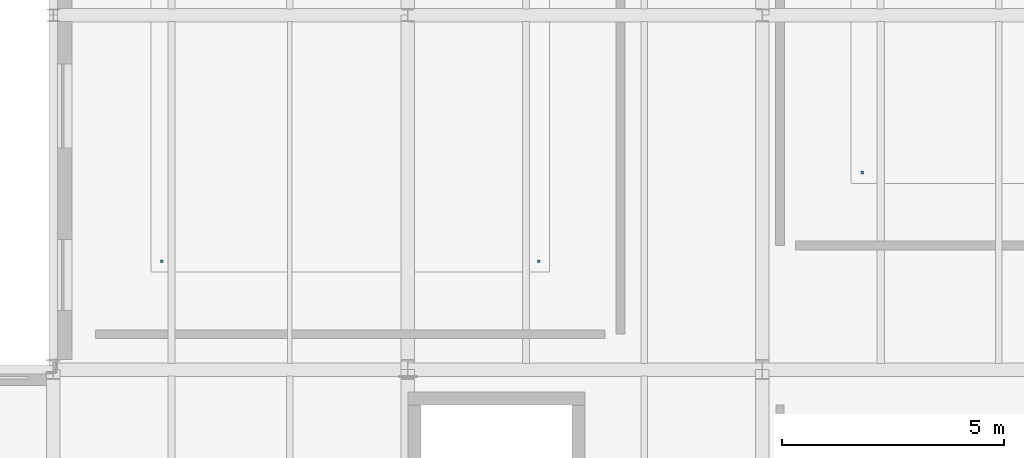
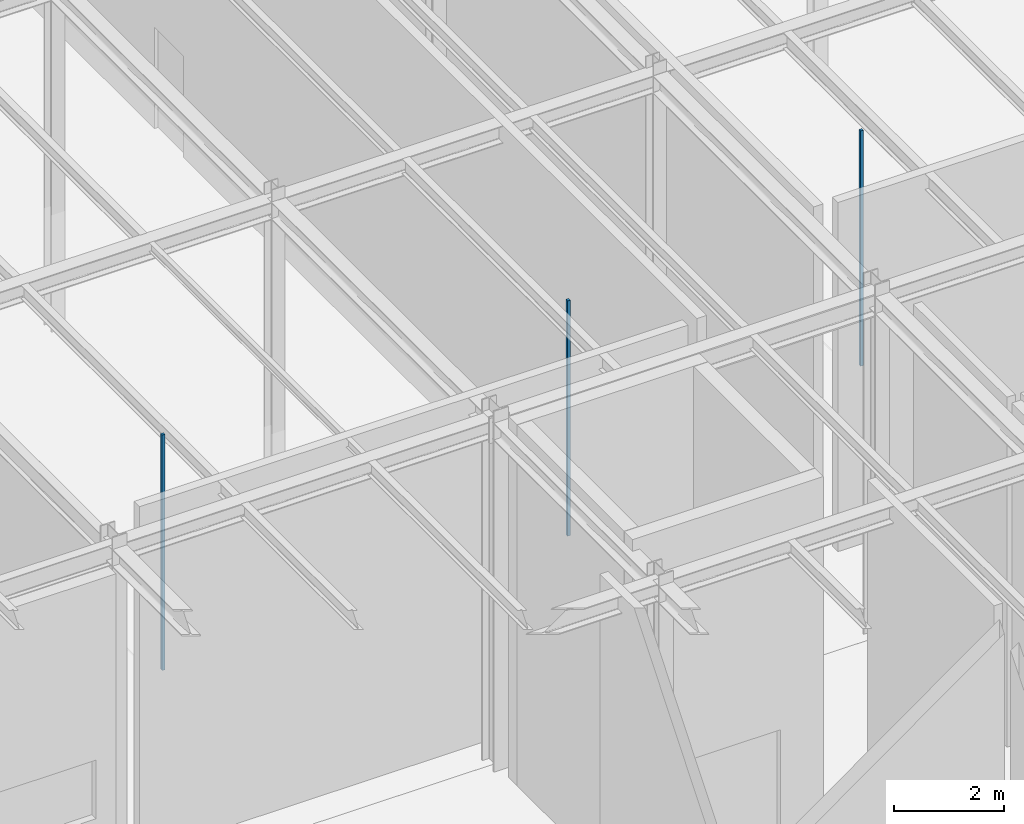
# One storey, part 113 of 138: 3 discrete accessories.
"""IFC4 building model written with IfcOpenShell, lengths in metres."""

from ifc_helpers import new_model, si_unit, direction, frame, origin, origin_2d, place, context, subcontext, project, spatial, rectangle, extrude, material, type_object, element, save


model = new_model("IFC4")

# Units and contexts
model_context = context("Model", 3, precision=1e-05, world=origin(), true_north=direction((0.0, 1.0)))
body_context = subcontext(model_context, "Body", "Model", "MODEL_VIEW")
ifc_project = project(units=[si_unit("LENGTHUNIT", "METRE"), si_unit("AREAUNIT", "SQUARE_METRE"), si_unit("VOLUMEUNIT", "CUBIC_METRE"), si_unit("PLANEANGLEUNIT", "RADIAN"), si_unit("MASSUNIT", "GRAM", prefix="KILO")], contexts=[model_context])

# Site, building, storey
site_placement = place(None, origin())
site = spatial("IfcSite", under=ifc_project, at=site_placement, CompositionType="ELEMENT")
building_placement = place(site_placement, origin())
building = spatial("IfcBuilding", under=site, at=building_placement, Name="Sundkrona Museum", CompositionType="ELEMENT")
storey_placement = place(building_placement, frame((0.0, 0.0, 9.60009765625)))
storey = spatial("IfcBuildingStorey", under=building, at=storey_placement, Name="L02", CompositionType="ELEMENT", Elevation=9.60009765625)

# Discrete accessories
ifc_material = material(Name="Stainless Steel EN 1.4404 Cleat", Category="steel")
discrete_accessory_type = type_object("IfcDiscreteAccessoryType", Name="BRK-FIN-01", PredefinedType="BRACKET", material=ifc_material)
for number, where, z_axis, x_axis, name in (
    (1, (154.25, 50.449951171875, 2.5498046875), (0.0, 0.0, 1.0), (1.0, 0.0, 0.0), "L02 Painting Restoration Studio Ceiling Hanger 1"),
    (2, (138.449951171875, 48.449951171875, 2.5498046875), (0.0, 0.0, 1.0), (1.0, 0.0, 0.0), "L02 Specimen Preparation Laboratory Ceiling Hanger 1"),
    (3, (146.949951171875, 48.449951171875, 2.5498046875), (0.0, 0.0, 1.0), (1.0, 0.0, 0.0), "L02 Specimen Preparation Laboratory Ceiling Hanger 2"),
):
    element("IfcDiscreteAccessory", number, at=place(storey_placement, frame(where, z_axis=z_axis, x_axis=x_axis)), inside=storey, type_object=discrete_accessory_type, Name=name, PredefinedType="BRACKET", context=body_context, shape_type="SweptSolid", body=[
        extrude(rectangle(XDim=0.06005859375, YDim=0.06005859375, at=origin_2d()), origin(), (0.0, 0.0, 1.0), 5.219970703125),
    ])

save(model, "model.ifc")
